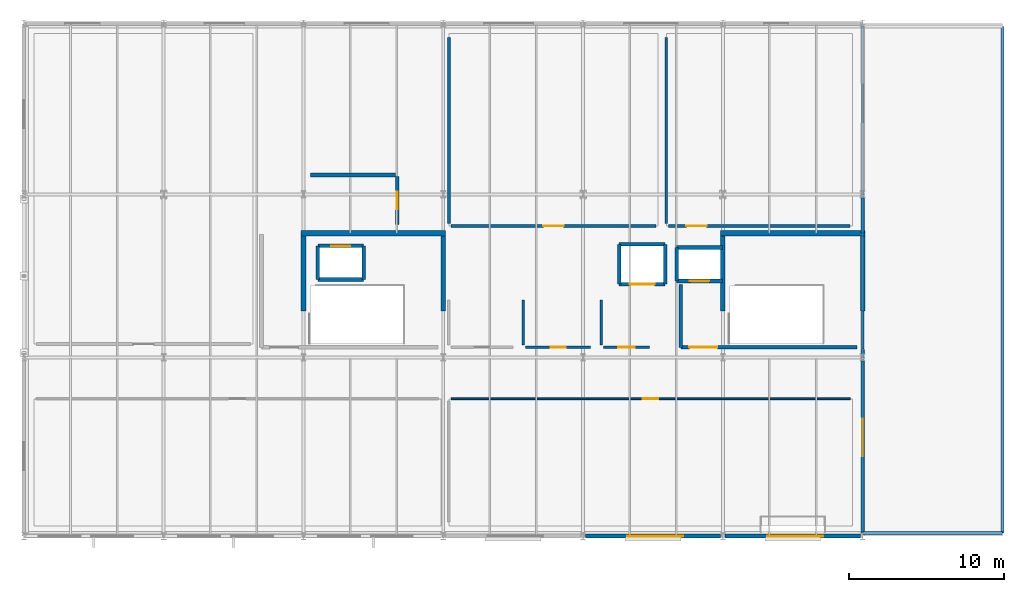
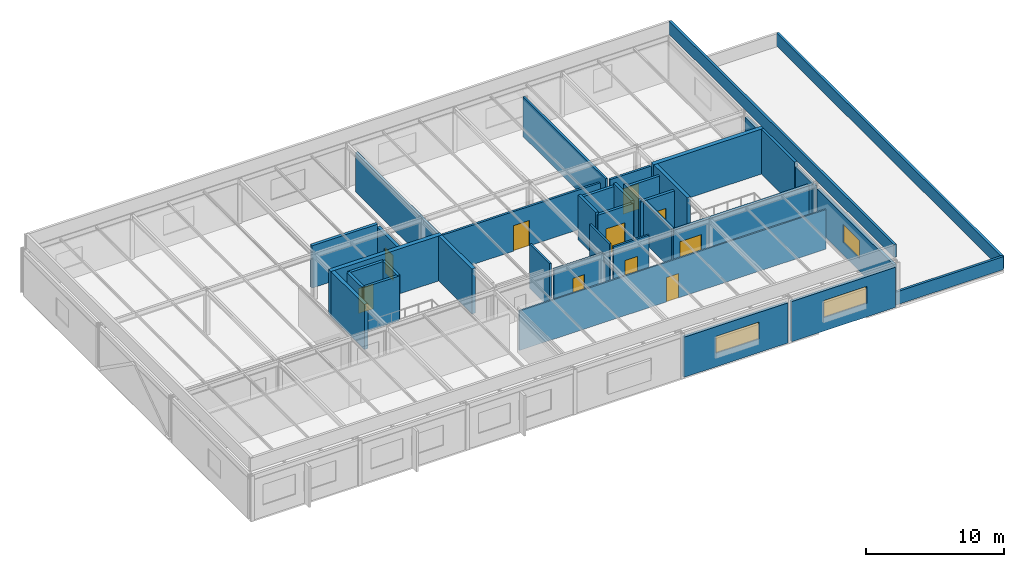
# One storey, part 7 of 14: 39 walls, 10 doors, 3 windows, 13 openings.
"""IFC4 building model written with IfcOpenShell, lengths in metres."""

from ifc_helpers import new_model, si_unit, direction, frame, frame_2d, origin, place, context, subcontext, project, spatial, rectangle, extrude, material, layer, layer_set, type_object, element, fill, save


model = new_model("IFC4")

# Units and contexts
model_context = context("Model", 3, precision=1e-05, world=origin(), true_north=direction((0.0, 1.0)))
body_context = subcontext(model_context, "Body", "Model", "MODEL_VIEW")
ifc_project = project(units=[si_unit("LENGTHUNIT", "METRE"), si_unit("AREAUNIT", "SQUARE_METRE"), si_unit("VOLUMEUNIT", "CUBIC_METRE"), si_unit("PLANEANGLEUNIT", "RADIAN"), si_unit("MASSUNIT", "GRAM", prefix="KILO")], contexts=[model_context])

# Site, building, storey
site_placement = place(None, origin())
site = spatial("IfcSite", under=ifc_project, at=site_placement, CompositionType="ELEMENT")
building_placement = place(site_placement, origin())
building = spatial("IfcBuilding", under=site, at=building_placement, Name="Marlcrest Central Station", CompositionType="ELEMENT")
storey_placement = place(building_placement, frame((0.0, 0.0, 24.0)))
storey = spatial("IfcBuildingStorey", under=building, at=storey_placement, Name="L05", CompositionType="ELEMENT", Elevation=24.0)

# Walls
ifc_material_1 = material(Name="Concrete C40/50", Category="concrete")
ifc_layer_1 = layer(ifc_material_1, 0.199951171875, Name="EP-01")
ifc_layer_set_1 = layer_set([ifc_layer_1], Name="Concrete C40/50")
wall_type_1 = type_object("IfcWallType", Name="EP-01", PredefinedType="PARAPET", material=ifc_layer_set_1)
wall_1_placement = place(storey_placement, frame((63.0, 99.199951171875, 0.0), z_axis=(0.0, 0.0, 1.0), x_axis=(-1.0, 0.0, 0.0)))
element("IfcWall", 1, at=wall_1_placement, inside=storey, type_object=wall_type_1, Name="ewall-L05-0208", PredefinedType="PARAPET", context=body_context, shape_type="SweptSolid", body=[
    extrude(rectangle(XDim=9.0, YDim=0.199951171875, at=frame_2d((4.5, 0.0))), origin(), (0.0, 0.0, 1.0), 1.14990234375),
])
wall_2_placement = place(storey_placement, frame((63.0, 131.800048828125, 0.0), z_axis=(0.0, 0.0, 1.0), x_axis=(0.0, -1.0, 0.0)))
element("IfcWall", 2, at=wall_2_placement, inside=storey, type_object=wall_type_1, Name="ewall-L05-0210", PredefinedType="PARAPET", context=body_context, shape_type="SweptSolid", body=[
    extrude(rectangle(XDim=32.60009765625, YDim=0.199951171875, at=frame_2d((16.300048828125, 0.0))), origin(), (0.0, 0.0, 1.0), 1.14990234375),
])
wall_3_placement = place(storey_placement, frame((54.0, 131.800048828125, 4.199951171875), z_axis=(0.0, 0.0, 1.0), x_axis=(0.0, -1.0, 0.0)))
element("IfcWall", 3, at=wall_3_placement, inside=storey, type_object=wall_type_1, Name="ewall-L05-0213", PredefinedType="PARAPET", context=body_context, shape_type="SweptSolid", body=[
    extrude(rectangle(XDim=32.60009765625, YDim=0.199951171875, at=frame_2d((16.300048828125, 0.0))), origin(), (0.0, 0.0, 1.0), 1.150146484375),
])

# Wall, opening, window
ifc_material_2 = material(Name="Precast concrete C40/50", Category="concrete")
ifc_layer_2 = layer(ifc_material_2, 0.239990234375, Name="EW-04")
ifc_layer_set_2 = layer_set([ifc_layer_2], Name="Precast concrete C40/50")
wall_type_2 = type_object("IfcWallType", Name="EW-04", PredefinedType="SOLIDWALL", material=ifc_layer_set_2)
wall_4_placement = place(storey_placement, frame((44.85009765625, 99.0, 0.0), z_axis=(0.0, 0.0, 1.0), x_axis=(-1.0, 0.0, 0.0)))
wall_4 = element("IfcWall", 4, at=wall_4_placement, inside=storey, type_object=wall_type_2, Name="ewall-L05-0194", PredefinedType="SOLIDWALL", context=body_context, shape_type="SweptSolid", body=[
    extrude(rectangle(XDim=8.7001953125, YDim=0.239990234375, at=frame_2d((4.35009765625, 0.0))), origin(), (0.0, 0.0, 1.0), 3.550048828125),
])
opening_1_placement = place(wall_4_placement, frame((2.39990234375, 0.0, 1.199951171875)))
opening_1 = element("IfcOpeningElement", 5, at=opening_1_placement, cuts=wall_4, Name="Opening WN-11", PredefinedType="OPENING", context=body_context, shape_type="SweptSolid", body=[
    extrude(rectangle(XDim=3.60009765625, YDim=1.5, at=frame_2d((1.800048828125, 0.75))), frame((0.0, 0.1298828125, 0.0), z_axis=(0.0, -1.0, 0.0), x_axis=(1.0, 0.0, 0.0)), (0.0, 0.0, 1.0), 0.260009765625),
])
ifc_material_3 = material(Name="Thermally broken bronze-anodised aluminium and laminated low-E glass", Category="aluminium")
window_type_1 = type_object("IfcWindowType", Name="WN-11", PartitioningType="SINGLE_PANEL", PredefinedType="WINDOW", material=ifc_material_3)
window_1_placement = place(opening_1_placement, origin())
window_1 = element("IfcWindow", 6, at=window_1_placement, inside=storey, type_object=window_type_1, Name="ewin-L05-0160", OverallHeight=1.5, OverallWidth=3.60009765625, PartitioningType="SINGLE_PANEL", PredefinedType="WINDOW", context=body_context, shape_type="SweptSolid", body=[
    extrude(rectangle(XDim=3.60009765625, YDim=1.5, at=frame_2d((1.800048828125, 0.75))), frame((0.0, 0.030029296875, 0.0), z_axis=(0.0, -1.0, 0.0), x_axis=(1.0, 0.0, 0.0)), (0.0, 0.0, 1.0), 0.06005859375),
])
fill(opening_1, window_1)

wall_5_placement = place(storey_placement, frame((53.85009765625, 99.0, 0.0), z_axis=(0.0, 0.0, 1.0), x_axis=(-1.0, 0.0, 0.0)))
wall_5 = element("IfcWall", 7, at=wall_5_placement, inside=storey, type_object=wall_type_2, Name="ewall-L05-0196", PredefinedType="SOLIDWALL", context=body_context, shape_type="SweptSolid", body=[
    extrude(rectangle(XDim=8.7001953125, YDim=0.239990234375, at=frame_2d((4.35009765625, 0.0))), origin(), (0.0, 0.0, 1.0), 3.550048828125),
])
opening_2_placement = place(wall_5_placement, frame((2.39990234375, 0.0, 1.199951171875)))
opening_2 = element("IfcOpeningElement", 8, at=opening_2_placement, cuts=wall_5, Name="Opening WN-11", PredefinedType="OPENING", context=body_context, shape_type="SweptSolid", body=[
    extrude(rectangle(XDim=3.60009765625, YDim=1.5, at=frame_2d((1.800048828125, 0.75))), frame((0.0, 0.1298828125, 0.0), z_axis=(0.0, -1.0, 0.0), x_axis=(1.0, 0.0, 0.0)), (0.0, 0.0, 1.0), 0.260009765625),
])
window_2_placement = place(opening_2_placement, origin())
window_2 = element("IfcWindow", 9, at=window_2_placement, inside=storey, type_object=window_type_1, Name="ewin-L05-0162", OverallHeight=1.5, OverallWidth=3.60009765625, PartitioningType="SINGLE_PANEL", PredefinedType="WINDOW", context=body_context, shape_type="SweptSolid", body=[
    extrude(rectangle(XDim=3.60009765625, YDim=1.5, at=frame_2d((1.800048828125, 0.75))), frame((0.0, 0.030029296875, 0.0), z_axis=(0.0, -1.0, 0.0), x_axis=(1.0, 0.0, 0.0)), (0.0, 0.0, 1.0), 0.06005859375),
])
fill(opening_2, window_2)

wall_6_placement = place(storey_placement, frame((54.0, 110.27490234375, 0.0), z_axis=(0.0, 0.0, 1.0), x_axis=(0.0, -1.0, 0.0)))
wall_6 = element("IfcWall", 10, at=wall_6_placement, inside=storey, type_object=wall_type_2, Name="ewall-L05-0201", PredefinedType="SOLIDWALL", context=body_context, shape_type="SweptSolid", body=[
    extrude(rectangle(XDim=11.0498046875, YDim=0.239990234375, at=frame_2d((5.52490234375, 0.0))), origin(), (0.0, 0.0, 1.0), 3.550048828125),
])
opening_3_placement = place(wall_6_placement, frame((3.72509765625, 0.0, 1.10009765625)))
opening_3 = element("IfcOpeningElement", 11, at=opening_3_placement, cuts=wall_6, Name="Opening WN-02", PredefinedType="OPENING", context=body_context, shape_type="SweptSolid", body=[
    extrude(rectangle(XDim=2.39990234375, YDim=1.60009765625, at=frame_2d((1.199951171875, 0.800048828125))), frame((0.0, 0.1298828125, 0.0), z_axis=(0.0, -1.0, 0.0), x_axis=(1.0, 0.0, 0.0)), (0.0, 0.0, 1.0), 0.260009765625),
])
window_type_2 = type_object("IfcWindowType", Name="WN-02", PartitioningType="SINGLE_PANEL", PredefinedType="WINDOW", material=ifc_material_3)
window_3_placement = place(opening_3_placement, origin())
window_3 = element("IfcWindow", 12, at=window_3_placement, inside=storey, type_object=window_type_2, Name="ewin-L05-0166", OverallHeight=1.60009765625, OverallWidth=2.39990234375, PartitioningType="SINGLE_PANEL", PredefinedType="WINDOW", context=body_context, shape_type="SweptSolid", body=[
    extrude(rectangle(XDim=2.39990234375, YDim=1.60009765625, at=frame_2d((1.199951171875, 0.800048828125))), frame((0.0, 0.030029296875, 0.0), z_axis=(0.0, -1.0, 0.0), x_axis=(1.0, 0.0, 0.0)), (0.0, 0.0, 1.0), 0.06005859375),
])
fill(opening_3, window_3)

# Walls
wall_7_placement = place(storey_placement, frame((54.0, 120.77490234375, 0.0), z_axis=(0.0, 0.0, 1.0), x_axis=(0.0, -1.0, 0.0)))
element("IfcWall", 13, at=wall_7_placement, inside=storey, type_object=wall_type_2, Name="ewall-L05-0202", PredefinedType="SOLIDWALL", context=body_context, shape_type="SweptSolid", body=[
    extrude(rectangle(XDim=2.27490234375, YDim=0.239990234375, at=frame_2d((1.137451171875, 0.0))), origin(), (0.0, 0.0, 1.0), 3.550048828125),
])
wall_8_placement = place(storey_placement, frame((54.0, 111.0, 0.0), z_axis=(0.0, 0.0, 1.0), x_axis=(0.0, -1.0, 0.0)))
element("IfcWall", 14, at=wall_8_placement, inside=storey, type_object=wall_type_2, Name="ewall-L05-0203", PredefinedType="SOLIDWALL", context=body_context, shape_type="SweptSolid", body=[
    extrude(rectangle(XDim=0.27490234375, YDim=0.239990234375, at=frame_2d((0.137451171875, 0.0))), origin(), (0.0, 0.0, 1.0), 3.550048828125),
])

# Wall, opening, door
ifc_material_4 = material(Name="Acoustic steel-stud gypsum board partition", Category="steel")
ifc_layer_3 = layer(ifc_material_4, 0.1201171875, Name="PT-01")
ifc_layer_set_3 = layer_set([ifc_layer_3], Name="Acoustic steel-stud gypsum board partition")
wall_type_3 = type_object("IfcWallType", Name="PT-01", PredefinedType="PARTITIONING", material=ifc_layer_set_3)
wall_9_placement = place(storey_placement, frame((27.510009765625, 107.840087890625, 0.0), z_axis=(0.0, 0.0, 1.0), x_axis=(1.0, 0.0, 0.0)))
wall_9 = element("IfcWall", 15, at=wall_9_placement, inside=storey, type_object=wall_type_3, Name="iwall-L05-00208", PredefinedType="PARTITIONING", context=body_context, shape_type="SweptSolid", body=[
    extrude(rectangle(XDim=25.679931640625, YDim=0.1201171875, at=frame_2d((12.83984375, 0.0))), origin(), (0.0, 0.0, 1.0), 3.5),
])
opening_4_placement = place(wall_9_placement, frame((12.340087890625, 0.0, 0.0)))
opening_4 = element("IfcOpeningElement", 16, at=opening_4_placement, cuts=wall_9, Name="Opening ID-02", PredefinedType="OPENING", context=body_context, shape_type="SweptSolid", body=[
    extrude(rectangle(XDim=1.0, YDim=2.14990234375, at=frame_2d((0.5, 1.074951171875))), frame((0.0, 0.070068359375, 0.0), z_axis=(0.0, -1.0, 0.0), x_axis=(1.0, 0.0, 0.0)), (0.0, 0.0, 1.0), 0.14013671875),
])
ifc_material_5 = material(Name="Solid-core hardwood office door", Category="wood")
door_type_1 = type_object("IfcDoorType", Name="ID-02", OperationType="NOTDEFINED", PredefinedType="DOOR", material=ifc_material_5)
door_1_placement = place(opening_4_placement, origin())
door_1 = element("IfcDoor", 17, at=door_1_placement, inside=storey, type_object=door_type_1, Name="L05-V5B 0118", OperationType="SINGLE_SWING_RIGHT", OverallHeight=2.14990234375, OverallWidth=1.0, PredefinedType="DOOR", context=body_context, shape_type="SweptSolid", body=[
    extrude(rectangle(XDim=1.0, YDim=2.14990234375, at=frame_2d((0.5, 1.074951171875))), frame((0.0, 0.02490234375, 0.0), z_axis=(0.0, -1.0, 0.0), x_axis=(1.0, 0.0, 0.0)), (0.0, 0.0, 1.0), 0.050048828125),
])
fill(opening_4, door_1)

ifc_material_6 = material(Name="Moisture-resistant tiled sanitary partition")
ifc_layer_4 = layer(ifc_material_6, 0.159912109375, Name="PT-03")
ifc_layer_set_4 = layer_set([ifc_layer_4], Name="Moisture-resistant tiled sanitary partition")
wall_type_4 = type_object("IfcWallType", Name="PT-03", PredefinedType="PARTITIONING", material=ifc_layer_set_4)
wall_10_placement = place(storey_placement, frame((36.489990234375, 111.159912109375, 0.0), z_axis=(0.0, 0.0, 1.0), x_axis=(-1.0, 0.0, 0.0)))
wall_10 = element("IfcWall", 18, at=wall_10_placement, inside=storey, type_object=wall_type_4, Name="iwall-L05-00219", PredefinedType="PARTITIONING", context=body_context, shape_type="SweptSolid", body=[
    extrude(rectangle(XDim=4.179931640625, YDim=0.159912109375, at=frame_2d((2.08984375, 0.0))), origin(), (0.0, 0.0, 1.0), 3.5),
])
opening_5_placement = place(wall_10_placement, frame((1.614990234375, 0.0, 0.0)))
opening_5 = element("IfcOpeningElement", 19, at=opening_5_placement, cuts=wall_10, Name="Opening ID-01", PredefinedType="OPENING", context=body_context, shape_type="SweptSolid", body=[
    extrude(rectangle(XDim=0.949951171875, YDim=2.14990234375, at=frame_2d((0.47509765625, 1.074951171875))), frame((0.0, 0.08984375, 0.0), z_axis=(0.0, -1.0, 0.0), x_axis=(1.0, 0.0, 0.0)), (0.0, 0.0, 1.0), 0.179931640625),
])
ifc_material_7 = material(Name="Solid-core hardwood acoustic door", Category="wood")
door_type_2 = type_object("IfcDoorType", Name="ID-01", OperationType="NOTDEFINED", PredefinedType="DOOR", material=ifc_material_7)
door_2_placement = place(opening_5_placement, origin())
door_2 = element("IfcDoor", 20, at=door_2_placement, inside=storey, type_object=door_type_2, Name="L05-WC-W2 0124", OperationType="SINGLE_SWING_RIGHT", OverallHeight=2.14990234375, OverallWidth=0.949951171875, PredefinedType="DOOR", context=body_context, shape_type="SweptSolid", body=[
    extrude(rectangle(XDim=0.949951171875, YDim=2.14990234375, at=frame_2d((0.47509765625, 1.074951171875))), frame((0.0, 0.02490234375, 0.0), z_axis=(0.0, -1.0, 0.0), x_axis=(1.0, 0.0, 0.0)), (0.0, 0.0, 1.0), 0.050048828125),
])
fill(opening_5, door_2)

# Wall
wall_11_placement = place(storey_placement, frame((32.159912109375, 111.31005859375, 0.0), z_axis=(0.0, 0.0, 1.0), x_axis=(0.0, 1.0, 0.0)))
element("IfcWall", 21, at=wall_11_placement, inside=storey, type_object=wall_type_4, Name="iwall-L05-00220", PredefinedType="PARTITIONING", context=body_context, shape_type="SweptSolid", body=[
    extrude(rectangle(XDim=2.8798828125, YDim=0.159912109375, at=frame_2d((1.43994140625, 0.0))), origin(), (0.0, 0.0, 1.0), 3.949951171875),
])

# Wall, opening, door
wall_12_placement = place(storey_placement, frame((40.2900390625, 111.159912109375, 0.0), z_axis=(0.0, 0.0, 1.0), x_axis=(-1.0, 0.0, 0.0)))
wall_12 = element("IfcWall", 22, at=wall_12_placement, inside=storey, type_object=wall_type_4, Name="iwall-L05-00221", PredefinedType="PARTITIONING", context=body_context, shape_type="SweptSolid", body=[
    extrude(rectangle(XDim=2.97998046875, YDim=0.159912109375, at=frame_2d((1.489990234375, 0.0))), origin(), (0.0, 0.0, 1.0), 3.75),
])
opening_6_placement = place(wall_12_placement, frame((0.965087890625, 0.0, 0.0)))
opening_6 = element("IfcOpeningElement", 23, at=opening_6_placement, cuts=wall_12, Name="Opening ID-03", PredefinedType="OPENING", context=body_context, shape_type="SweptSolid", body=[
    extrude(rectangle(XDim=1.050048828125, YDim=2.199951171875, at=frame_2d((0.52490234375, 1.10009765625))), frame((0.0, 0.08984375, 0.0), z_axis=(0.0, -1.0, 0.0), x_axis=(1.0, 0.0, 0.0)), (0.0, 0.0, 1.0), 0.179931640625),
])
ifc_material_8 = material(Name="Accessible sanitary outward-opening door")
door_type_3 = type_object("IfcDoorType", Name="ID-03", OperationType="NOTDEFINED", PredefinedType="DOOR", material=ifc_material_8)
door_3_placement = place(opening_6_placement, origin())
door_3 = element("IfcDoor", 24, at=door_3_placement, inside=storey, type_object=door_type_3, Name="L05-WC-WA 0125", OperationType="SINGLE_SWING_LEFT", OverallHeight=2.199951171875, OverallWidth=1.050048828125, PredefinedType="DOOR", context=body_context, shape_type="SweptSolid", body=[
    extrude(rectangle(XDim=1.050048828125, YDim=2.199951171875, at=frame_2d((0.52490234375, 1.10009765625))), frame((0.0, 0.02490234375, 0.0), z_axis=(0.0, -1.0, 0.0), x_axis=(1.0, 0.0, 0.0)), (0.0, 0.0, 1.0), 0.050048828125),
])
fill(opening_6, door_3)

# Walls
wall_13_placement = place(storey_placement, frame((37.159912109375, 111.31005859375, 0.0), z_axis=(0.0, 0.0, 1.0), x_axis=(0.0, 1.0, 0.0)))
element("IfcWall", 25, at=wall_13_placement, inside=storey, type_object=wall_type_4, Name="iwall-L05-00222", PredefinedType="PARTITIONING", context=body_context, shape_type="SweptSolid", body=[
    extrude(rectangle(XDim=2.8798828125, YDim=0.159912109375, at=frame_2d((1.43994140625, 0.0))), origin(), (0.0, 0.0, 1.0), 3.949951171875),
])
wall_14_placement = place(storey_placement, frame((54.0, 111.050048828125, 0.0), z_axis=(0.0, 0.0, 1.0), x_axis=(0.0, 1.0, 0.0)))
element("IfcWall", 26, at=wall_14_placement, inside=storey, type_object=wall_type_4, Name="iwall-L05-core-close", PredefinedType="PARTITIONING", context=body_context, shape_type="SweptSolid", body=[
    extrude(rectangle(XDim=2.449951171875, YDim=0.159912109375, at=frame_2d((1.22509765625, 0.0))), origin(), (0.0, 0.0, 1.0), 3.550048828125),
])

# Wall, opening, door
ifc_material_9 = material(Name="Fire-rated corridor blockwork partition", Category="masonry")
ifc_layer_5 = layer(ifc_material_9, 0.179931640625, Name="PT-04")
ifc_layer_set_5 = layer_set([ifc_layer_5], Name="Fire-rated corridor blockwork partition")
wall_type_5 = type_object("IfcWallType", Name="PT-04", PredefinedType="PARTITIONING", material=ifc_layer_set_5)
wall_15_placement = place(storey_placement, frame((40.68994140625, 118.9599609375, 0.0), z_axis=(0.0, 0.0, 1.0), x_axis=(-1.0, 0.0, 0.0)))
wall_15 = element("IfcWall", 27, at=wall_15_placement, inside=storey, type_object=wall_type_5, Name="iwall-L05-00211", PredefinedType="PARTITIONING", context=body_context, shape_type="SweptSolid", body=[
    extrude(rectangle(XDim=13.179931640625, YDim=0.179931640625, at=frame_2d((6.58984375, 0.0))), origin(), (0.0, 0.0, 1.0), 3.5),
])
opening_7_placement = place(wall_15_placement, frame((5.93994140625, 0.0, 0.0)))
opening_7 = element("IfcOpeningElement", 28, at=opening_7_placement, cuts=wall_15, Name="Opening FD-60W", PredefinedType="OPENING", context=body_context, shape_type="SweptSolid", body=[
    extrude(rectangle(XDim=1.300048828125, YDim=2.25, at=frame_2d((0.64990234375, 1.125))), frame((0.0, 0.099853515625, 0.0), z_axis=(0.0, -1.0, 0.0), x_axis=(1.0, 0.0, 0.0)), (0.0, 0.0, 1.0), 0.199951171875),
])
ifc_material_10 = material(Name="Wide 60-minute plant equipment fire door")
door_type_4 = type_object("IfcDoorType", Name="FD-60W", OperationType="NOTDEFINED", PredefinedType="DOOR", material=ifc_material_10)
door_4_placement = place(opening_7_placement, origin())
door_4 = element("IfcDoor", 29, at=door_4_placement, inside=storey, type_object=door_type_4, Name="L05-V5E 0120", OperationType="SINGLE_SWING_RIGHT", OverallHeight=2.25, OverallWidth=1.300048828125, PredefinedType="DOOR", context=body_context, shape_type="SweptSolid", body=[
    extrude(rectangle(XDim=1.300048828125, YDim=2.25, at=frame_2d((0.64990234375, 1.125))), frame((0.0, 0.02490234375, 0.0), z_axis=(0.0, -1.0, 0.0), x_axis=(1.0, 0.0, 0.0)), (0.0, 0.0, 1.0), 0.050048828125),
])
fill(opening_7, door_4)

# Wall
wall_16_placement = place(storey_placement, frame((27.360107421875, 119.110107421875, 0.0), z_axis=(0.0, 0.0, 1.0), x_axis=(0.0, 1.0, 0.0)))
element("IfcWall", 30, at=wall_16_placement, inside=storey, type_object=wall_type_5, Name="iwall-L05-00212", PredefinedType="PARTITIONING", context=body_context, shape_type="SweptSolid", body=[
    extrude(rectangle(XDim=11.97998046875, YDim=0.179931640625, at=frame_2d((5.989990234375, 0.0))), origin(), (0.0, 0.0, 1.0), 3.5),
])

# Wall, opening, door
wall_17_placement = place(storey_placement, frame((53.18994140625, 118.9599609375, 0.0), z_axis=(0.0, 0.0, 1.0), x_axis=(-1.0, 0.0, 0.0)))
wall_17 = element("IfcWall", 31, at=wall_17_placement, inside=storey, type_object=wall_type_5, Name="iwall-L05-00213", PredefinedType="PARTITIONING", context=body_context, shape_type="SweptSolid", body=[
    extrude(rectangle(XDim=11.679931640625, YDim=0.179931640625, at=frame_2d((5.83984375, 0.0))), origin(), (0.0, 0.0, 1.0), 3.5),
])
opening_8_placement = place(wall_17_placement, frame((9.239990234375, 0.0, 0.0)))
opening_8 = element("IfcOpeningElement", 32, at=opening_8_placement, cuts=wall_17, Name="Opening FD-60W", PredefinedType="OPENING", context=body_context, shape_type="SweptSolid", body=[
    extrude(rectangle(XDim=1.300048828125, YDim=2.25, at=frame_2d((0.64990234375, 1.125))), frame((0.0, 0.099853515625, 0.0), z_axis=(0.0, -1.0, 0.0), x_axis=(1.0, 0.0, 0.0)), (0.0, 0.0, 1.0), 0.199951171875),
])
door_5_placement = place(opening_8_placement, origin())
door_5 = element("IfcDoor", 33, at=door_5_placement, inside=storey, type_object=door_type_4, Name="L05-V5F 0121", OperationType="SINGLE_SWING_LEFT", OverallHeight=2.25, OverallWidth=1.300048828125, PredefinedType="DOOR", context=body_context, shape_type="SweptSolid", body=[
    extrude(rectangle(XDim=1.300048828125, YDim=2.25, at=frame_2d((0.64990234375, 1.125))), frame((0.0, 0.02490234375, 0.0), z_axis=(0.0, -1.0, 0.0), x_axis=(1.0, 0.0, 0.0)), (0.0, 0.0, 1.0), 0.050048828125),
])
fill(opening_8, door_5)

# Wall
wall_18_placement = place(storey_placement, frame((41.360107421875, 119.110107421875, 0.0), z_axis=(0.0, 0.0, 1.0), x_axis=(0.0, 1.0, 0.0)))
element("IfcWall", 34, at=wall_18_placement, inside=storey, type_object=wall_type_5, Name="iwall-L05-00214", PredefinedType="PARTITIONING", context=body_context, shape_type="SweptSolid", body=[
    extrude(rectangle(XDim=11.97998046875, YDim=0.179931640625, at=frame_2d((5.989990234375, 0.0))), origin(), (0.0, 0.0, 1.0), 3.5),
])

# Wall, opening, door
ifc_layer_6 = layer(ifc_material_1, 0.22998046875, Name="SHW-01")
ifc_layer_set_6 = layer_set([ifc_layer_6], Name="Concrete C40/50")
wall_type_6 = type_object("IfcWallType", Name="SHW-01", PredefinedType="SOLIDWALL", material=ifc_layer_set_6)
wall_19_placement = place(storey_placement, frame((18.919921875, 117.679931640625, 0.0), z_axis=(0.0, 0.0, 1.0), x_axis=(1.0, 0.0, 0.0)))
wall_19 = element("IfcWall", 35, at=wall_19_placement, inside=storey, type_object=wall_type_6, Name="iwall-L05-00367", PredefinedType="SOLIDWALL", context=body_context, shape_type="SweptSolid", body=[
    extrude(rectangle(XDim=2.9599609375, YDim=0.22998046875, at=frame_2d((1.47998046875, 0.0))), origin(), (0.0, 0.0, 1.0), 3.9599609375),
])
opening_9_placement = place(wall_19_placement, frame((0.85498046875, 0.0, 0.0)))
opening_9 = element("IfcOpeningElement", 36, at=opening_9_placement, cuts=wall_19, Name="Opening LD-02", PredefinedType="OPENING", context=body_context, shape_type="SweptSolid", body=[
    extrude(rectangle(XDim=1.25, YDim=2.199951171875, at=frame_2d((0.625, 1.10009765625))), frame((0.0, 0.125, 0.0), z_axis=(0.0, -1.0, 0.0), x_axis=(1.0, 0.0, 0.0)), (0.0, 0.0, 1.0), 0.25),
])
ifc_material_11 = material(Name="Stainless steel stretcher/firefighting lift landing door", Category="steel")
door_type_5 = type_object("IfcDoorType", Name="LD-02", OperationType="DOUBLE_DOOR_SLIDING", PredefinedType="DOOR", material=ifc_material_11)
door_6_placement = place(opening_9_placement, origin())
door_6 = element("IfcDoor", 37, at=door_6_placement, inside=storey, type_object=door_type_5, Name="LF-FF1 Lift Landing Door 0162", OperationType="DOUBLE_DOOR_SLIDING", OverallHeight=2.199951171875, OverallWidth=1.25, PredefinedType="DOOR", context=body_context, shape_type="SweptSolid", body=[
    extrude(rectangle(XDim=1.25, YDim=2.199951171875, at=frame_2d((0.625, 1.10009765625))), frame((0.0, 0.02490234375, 0.0), z_axis=(0.0, -1.0, 0.0), x_axis=(1.0, 0.0, 0.0)), (0.0, 0.0, 1.0), 0.050048828125),
])
fill(opening_9, door_6)

# Walls
wall_20_placement = place(storey_placement, frame((21.8798828125, 115.52001953125, 0.0), z_axis=(0.0, 0.0, 1.0), x_axis=(-1.0, 0.0, 0.0)))
element("IfcWall", 38, at=wall_20_placement, inside=storey, type_object=wall_type_6, Name="iwall-L05-00368", PredefinedType="SOLIDWALL", context=body_context, shape_type="SweptSolid", body=[
    extrude(rectangle(XDim=2.9599609375, YDim=0.22998046875, at=frame_2d((1.47998046875, 0.0))), origin(), (0.0, 0.0, 1.0), 3.9599609375),
])
for number, where, z_axis, x_axis, name in (
    (39, (18.919921875, 115.52001953125, 0.0), (0.0, 0.0, 1.0), (0.0, 1.0, 0.0), "iwall-L05-00369"),
    (40, (21.8798828125, 117.679931640625, 0.0), (0.0, 0.0, 1.0), (0.0, -1.0, 0.0), "iwall-L05-00370"),
):
    element("IfcWall", number, at=place(storey_placement, frame(where, z_axis=z_axis, x_axis=x_axis)), inside=storey, type_object=wall_type_6, Name=name, PredefinedType="SOLIDWALL", context=body_context, shape_type="SweptSolid", body=[
        extrude(rectangle(XDim=2.159912109375, YDim=0.22998046875, at=frame_2d((1.080078125, 0.0))), origin(), (0.0, 0.0, 1.0), 3.9599609375),
    ])
wall_21_placement = place(storey_placement, frame((42.02001953125, 117.580078125, 0.0), z_axis=(0.0, 0.0, 1.0), x_axis=(1.0, 0.0, 0.0)))
element("IfcWall", 41, at=wall_21_placement, inside=storey, type_object=wall_type_6, Name="iwall-L05-00389", PredefinedType="SOLIDWALL", context=body_context, shape_type="SweptSolid", body=[
    extrude(rectangle(XDim=2.9599609375, YDim=0.22998046875, at=frame_2d((1.47998046875, 0.0))), origin(), (0.0, 0.0, 1.0), 3.5),
])

# Wall, opening, door
wall_22_placement = place(storey_placement, frame((44.97998046875, 115.419921875, 0.0), z_axis=(0.0, 0.0, 1.0), x_axis=(-1.0, 0.0, 0.0)))
wall_22 = element("IfcWall", 42, at=wall_22_placement, inside=storey, type_object=wall_type_6, Name="iwall-L05-00390", PredefinedType="SOLIDWALL", context=body_context, shape_type="SweptSolid", body=[
    extrude(rectangle(XDim=2.9599609375, YDim=0.22998046875, at=frame_2d((1.47998046875, 0.0))), origin(), (0.0, 0.0, 1.0), 3.5),
])
opening_10_placement = place(wall_22_placement, frame((0.85498046875, 0.0, 0.0)))
opening_10 = element("IfcOpeningElement", 43, at=opening_10_placement, cuts=wall_22, Name="Opening LD-02", PredefinedType="OPENING", context=body_context, shape_type="SweptSolid", body=[
    extrude(rectangle(XDim=1.25, YDim=2.199951171875, at=frame_2d((0.625, 1.10009765625))), frame((0.0, 0.125, 0.0), z_axis=(0.0, -1.0, 0.0), x_axis=(1.0, 0.0, 0.0)), (0.0, 0.0, 1.0), 0.25),
])
door_7_placement = place(opening_10_placement, origin())
door_7 = element("IfcDoor", 44, at=door_7_placement, inside=storey, type_object=door_type_5, Name="LF-O1 Lift Landing Door 0169", OperationType="DOUBLE_DOOR_SLIDING", OverallHeight=2.199951171875, OverallWidth=1.25, PredefinedType="DOOR", context=body_context, shape_type="SweptSolid", body=[
    extrude(rectangle(XDim=1.25, YDim=2.199951171875, at=frame_2d((0.625, 1.10009765625))), frame((0.0, 0.02490234375, 0.0), z_axis=(0.0, -1.0, 0.0), x_axis=(1.0, 0.0, 0.0)), (0.0, 0.0, 1.0), 0.050048828125),
])
fill(opening_10, door_7)

# Walls
wall_23_placement = place(storey_placement, frame((42.02001953125, 115.419921875, 0.0), z_axis=(0.0, 0.0, 1.0), x_axis=(0.0, 1.0, 0.0)))
element("IfcWall", 45, at=wall_23_placement, inside=storey, type_object=wall_type_6, Name="iwall-L05-00391", PredefinedType="SOLIDWALL", context=body_context, shape_type="SweptSolid", body=[
    extrude(rectangle(XDim=2.16015625, YDim=0.22998046875, at=frame_2d((1.080078125, 0.0))), origin(), (0.0, 0.0, 1.0), 3.75),
])
wall_24_placement = place(storey_placement, frame((38.320068359375, 117.780029296875, 0.0), z_axis=(0.0, 0.0, 1.0), x_axis=(1.0, 0.0, 0.0)))
element("IfcWall", 46, at=wall_24_placement, inside=storey, type_object=wall_type_6, Name="iwall-L05-00416", PredefinedType="SOLIDWALL", context=body_context, shape_type="SweptSolid", body=[
    extrude(rectangle(XDim=2.9599609375, YDim=0.22998046875, at=frame_2d((1.47998046875, 0.0))), origin(), (0.0, 0.0, 1.0), 3.75),
])

# Wall, opening, door
wall_25_placement = place(storey_placement, frame((41.280029296875, 115.219970703125, 0.0), z_axis=(0.0, 0.0, 1.0), x_axis=(-1.0, 0.0, 0.0)))
wall_25 = element("IfcWall", 47, at=wall_25_placement, inside=storey, type_object=wall_type_6, Name="iwall-L05-00417", PredefinedType="SOLIDWALL", context=body_context, shape_type="SweptSolid", body=[
    extrude(rectangle(XDim=2.9599609375, YDim=0.22998046875, at=frame_2d((1.47998046875, 0.0))), origin(), (0.0, 0.0, 1.0), 3.75),
])
opening_11_placement = place(wall_25_placement, frame((0.679931640625, 0.0, 0.0)))
opening_11 = element("IfcOpeningElement", 48, at=opening_11_placement, cuts=wall_25, Name="Opening LD-03", PredefinedType="OPENING", context=body_context, shape_type="SweptSolid", body=[
    extrude(rectangle(XDim=1.60009765625, YDim=2.300048828125, at=frame_2d((0.800048828125, 1.14990234375))), frame((0.0, 0.125, 0.0), z_axis=(0.0, -1.0, 0.0), x_axis=(1.0, 0.0, 0.0)), (0.0, 0.0, 1.0), 0.25),
])
ifc_material_12 = material(Name="Heavy-duty goods lift sliding landing door")
door_type_6 = type_object("IfcDoorType", Name="LD-03", OperationType="DOUBLE_DOOR_SLIDING", PredefinedType="DOOR", material=ifc_material_12)
door_8_placement = place(opening_11_placement, origin())
door_8 = element("IfcDoor", 49, at=door_8_placement, inside=storey, type_object=door_type_6, Name="LF-G1 Lift Landing Door 0176", OperationType="DOUBLE_DOOR_SLIDING", OverallHeight=2.300048828125, OverallWidth=1.60009765625, PredefinedType="DOOR", context=body_context, shape_type="SweptSolid", body=[
    extrude(rectangle(XDim=1.60009765625, YDim=2.300048828125, at=frame_2d((0.800048828125, 1.14990234375))), frame((0.0, 0.02490234375, 0.0), z_axis=(0.0, -1.0, 0.0), x_axis=(1.0, 0.0, 0.0)), (0.0, 0.0, 1.0), 0.050048828125),
])
fill(opening_11, door_8)

# Walls
for number, where, z_axis, x_axis, name in (
    (50, (38.320068359375, 115.219970703125, 0.0), (0.0, 0.0, 1.0), (0.0, 1.0, 0.0), "iwall-L05-00418"),
    (51, (41.280029296875, 117.780029296875, 0.0), (0.0, 0.0, 1.0), (0.0, -1.0, 0.0), "iwall-L05-00419"),
):
    element("IfcWall", number, at=place(storey_placement, frame(where, z_axis=z_axis, x_axis=x_axis)), inside=storey, type_object=wall_type_6, Name=name, PredefinedType="SOLIDWALL", context=body_context, shape_type="SweptSolid", body=[
        extrude(rectangle(XDim=2.56005859375, YDim=0.22998046875, at=frame_2d((1.280029296875, 0.0))), origin(), (0.0, 0.0, 1.0), 3.9599609375),
    ])

# Wall, opening, door
wall_26_placement = place(storey_placement, frame((42.300048828125, 111.14990234375, 0.0), z_axis=(0.0, 0.0, 1.0), x_axis=(1.0, 0.0, 0.0)))
wall_26 = element("IfcWall", 52, at=wall_26_placement, inside=storey, type_object=wall_type_6, Name="iwall-L05-00451", PredefinedType="SOLIDWALL", context=body_context, shape_type="SweptSolid", body=[
    extrude(rectangle(XDim=11.349853515625, YDim=0.22998046875, at=frame_2d((5.6748046875, 0.0))), origin(), (0.0, 0.0, 1.0), 3.5),
])
opening_12_placement = place(wall_26_placement, frame((0.550048828125, 0.0, 0.0)))
opening_12 = element("IfcOpeningElement", 53, at=opening_12_placement, cuts=wall_26, Name="Opening FD-90D", PredefinedType="OPENING", context=body_context, shape_type="SweptSolid", body=[
    extrude(rectangle(XDim=1.800048828125, YDim=2.300048828125, at=frame_2d((0.89990234375, 1.14990234375))), frame((0.0, 0.125, 0.0), z_axis=(0.0, -1.0, 0.0), x_axis=(1.0, 0.0, 0.0)), (0.0, 0.0, 1.0), 0.25),
])
ifc_material_13 = material(Name="90-minute double exit-stair fire door")
door_type_7 = type_object("IfcDoorType", Name="FD-90D", OperationType="DOUBLE_DOOR_SINGLE_SWING", PredefinedType="DOOR", material=ifc_material_13)
door_9_placement = place(opening_12_placement, origin())
door_9 = element("IfcDoor", 54, at=door_9_placement, inside=storey, type_object=door_type_7, Name="ST-W25 Stair Enclosure Door 0195", OperationType="DOUBLE_DOOR_SINGLE_SWING", OverallHeight=2.300048828125, OverallWidth=1.800048828125, PredefinedType="DOOR", context=body_context, shape_type="SweptSolid", body=[
    extrude(rectangle(XDim=1.800048828125, YDim=2.300048828125, at=frame_2d((0.89990234375, 1.14990234375))), frame((0.0, 0.02490234375, 0.0), z_axis=(0.0, -1.0, 0.0), x_axis=(1.0, 0.0, 0.0)), (0.0, 0.0, 1.0), 0.050048828125),
])
fill(opening_12, door_9)

# Wall
wall_27_placement = place(storey_placement, frame((42.300048828125, 111.14990234375, 0.0), z_axis=(0.0, 0.0, 1.0), x_axis=(0.0, 1.0, 0.0)))
element("IfcWall", 55, at=wall_27_placement, inside=storey, type_object=wall_type_6, Name="iwall-L05-00452", PredefinedType="SOLIDWALL", context=body_context, shape_type="SweptSolid", body=[
    extrude(rectangle(XDim=4.050048828125, YDim=0.22998046875, at=frame_2d((2.02490234375, 0.0))), origin(), (0.0, 0.0, 1.0), 3.60009765625),
])

# Wall, opening, door
ifc_layer_7 = layer(ifc_material_1, 0.25, Name="SHW-02")
ifc_layer_set_7 = layer_set([ifc_layer_7], Name="Concrete C40/50")
wall_type_7 = type_object("IfcWallType", Name="SHW-02", PredefinedType="SOLIDWALL", material=ifc_layer_set_7)
wall_28_placement = place(storey_placement, frame((24.0400390625, 119.06005859375, 0.0), z_axis=(0.0, 0.0, 1.0), x_axis=(0.0, 1.0, 0.0)))
wall_28 = element("IfcWall", 56, at=wall_28_placement, inside=storey, type_object=wall_type_7, Name="iwall-L05-00215", PredefinedType="SOLIDWALL", context=body_context, shape_type="SweptSolid", body=[
    extrude(rectangle(XDim=3.079833984375, YDim=0.25, at=frame_2d((1.5400390625, 0.0))), origin(), (0.0, 0.0, 1.0), 3.5),
])
opening_13_placement = place(wall_28_placement, frame((0.965087890625, 0.0, 0.0)))
opening_13 = element("IfcOpeningElement", 57, at=opening_13_placement, cuts=wall_28, Name="Opening FD-90", PredefinedType="OPENING", context=body_context, shape_type="SweptSolid", body=[
    extrude(rectangle(XDim=1.14990234375, YDim=2.199951171875, at=frame_2d((0.574951171875, 1.10009765625))), frame((0.0, 0.135009765625, 0.0), z_axis=(0.0, -1.0, 0.0), x_axis=(1.0, 0.0, 0.0)), (0.0, 0.0, 1.0), 0.27001953125),
])
ifc_material_14 = material(Name="90-minute stair and firefighting-lobby fire door")
door_type_8 = type_object("IfcDoorType", Name="FD-90", OperationType="NOTDEFINED", PredefinedType="DOOR", material=ifc_material_14)
door_10_placement = place(opening_13_placement, origin())
door_10 = element("IfcDoor", 58, at=door_10_placement, inside=storey, type_object=door_type_8, Name="L05-FFL 0122", OperationType="SINGLE_SWING_RIGHT", OverallHeight=2.199951171875, OverallWidth=1.14990234375, PredefinedType="DOOR", context=body_context, shape_type="SweptSolid", body=[
    extrude(rectangle(XDim=1.14990234375, YDim=2.199951171875, at=frame_2d((0.574951171875, 1.10009765625))), frame((0.0, 0.02490234375, 0.0), z_axis=(0.0, -1.0, 0.0), x_axis=(1.0, 0.0, 0.0)), (0.0, 0.0, 1.0), 0.050048828125),
])
fill(opening_13, door_10)

# Walls
wall_29_placement = place(storey_placement, frame((18.4599609375, 122.239990234375, 0.0), z_axis=(0.0, 0.0, 1.0), x_axis=(1.0, 0.0, 0.0)))
element("IfcWall", 59, at=wall_29_placement, inside=storey, type_object=wall_type_7, Name="iwall-L05-00216", PredefinedType="SOLIDWALL", context=body_context, shape_type="SweptSolid", body=[
    extrude(rectangle(XDim=5.47998046875, YDim=0.25, at=frame_2d((2.739990234375, 0.0))), origin(), (0.0, 0.0, 1.0), 3.75),
])
ifc_material_15 = material(Name="Concrete C50/60", Category="concrete")
ifc_layer_8 = layer(ifc_material_15, 0.35009765625, Name="SW-01")
ifc_layer_set_8 = layer_set([ifc_layer_8], Name="Concrete C50/60")
wall_type_8 = type_object("IfcWallType", Name="SW-01", PredefinedType="SHEAR", material=ifc_layer_set_8)
for number, where, z_axis, x_axis, name in (
    (60, (17.85009765625, 118.5, 0.0), (0.0, 0.0, 1.0), (1.0, 0.0, 0.0), "swall-L05-0041"),
    (61, (44.85009765625, 118.5, 0.0), (0.0, 0.0, 1.0), (1.0, 0.0, 0.0), "swall-L05-0044"),
):
    element("IfcWall", number, at=place(storey_placement, frame(where, z_axis=z_axis, x_axis=x_axis)), inside=storey, type_object=wall_type_8, Name=name, PredefinedType="SHEAR", context=body_context, shape_type="SweptSolid", body=[
        extrude(rectangle(XDim=9.2998046875, YDim=0.35009765625, at=frame_2d((4.64990234375, 0.0))), origin(), (0.0, 0.0, 1.0), 3.97998046875),
    ])
ifc_layer_9 = layer(ifc_material_15, 0.300048828125, Name="SW-02")
ifc_layer_set_9 = layer_set([ifc_layer_9], Name="Concrete C50/60")
wall_type_9 = type_object("IfcWallType", Name="SW-02", PredefinedType="SHEAR", material=ifc_layer_set_9)
for number, where, z_axis, x_axis, name in (
    (62, (18.0, 113.5, 0.0), (0.0, 0.0, 1.0), (0.0, 1.0, 0.0), "swall-L05-0042"),
    (63, (27.0, 113.5, 0.0), (0.0, 0.0, 1.0), (0.0, 1.0, 0.0), "swall-L05-0043"),
    (64, (45.0, 113.5, 0.0), (0.0, 0.0, 1.0), (0.0, 1.0, 0.0), "swall-L05-0045"),
    (65, (54.0, 113.5, 0.0), (0.0, 0.0, 1.0), (0.0, 1.0, 0.0), "swall-L05-0046"),
):
    element("IfcWall", number, at=place(storey_placement, frame(where, z_axis=z_axis, x_axis=x_axis)), inside=storey, type_object=wall_type_9, Name=name, PredefinedType="SHEAR", context=body_context, shape_type="SweptSolid", body=[
        extrude(rectangle(XDim=4.824951171875, YDim=0.300048828125, at=frame_2d((2.41259765625, 0.0))), origin(), (0.0, 0.0, 1.0), 3.97998046875),
    ])

save(model, "model.ifc")
